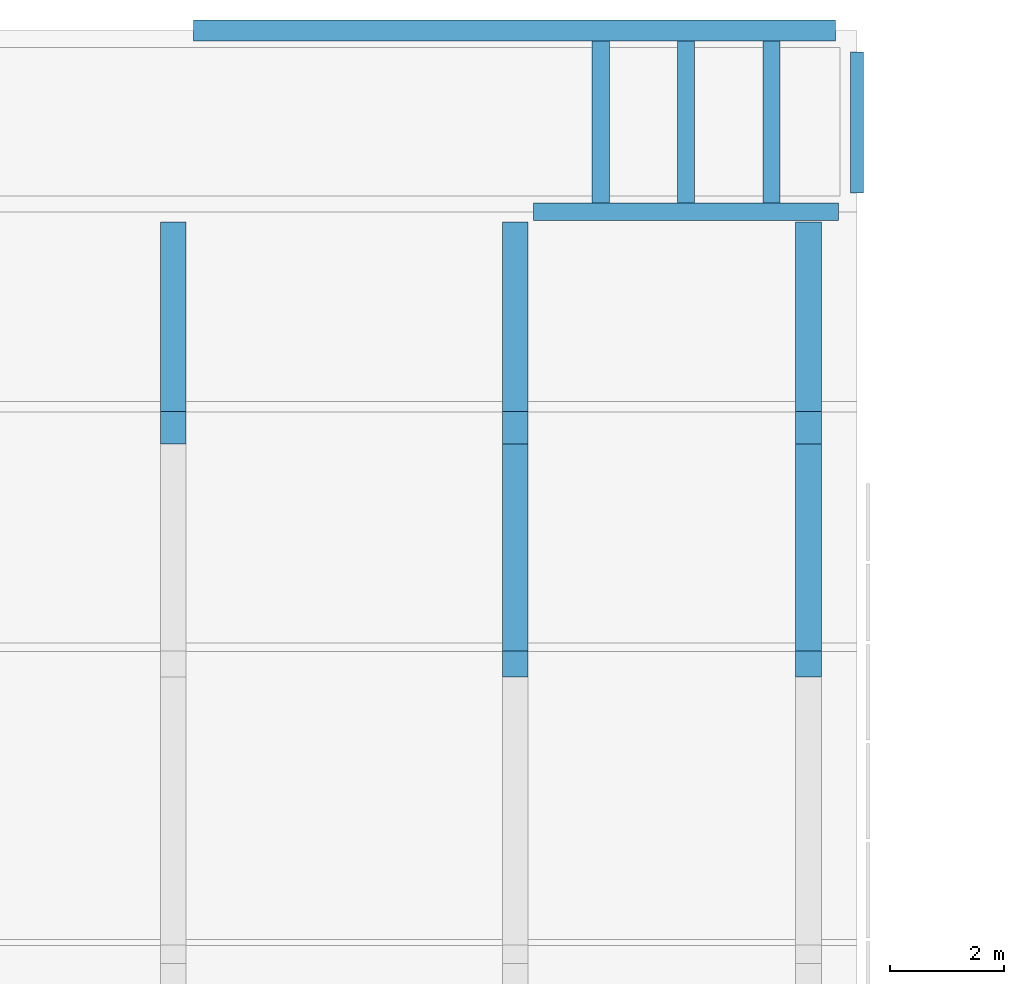
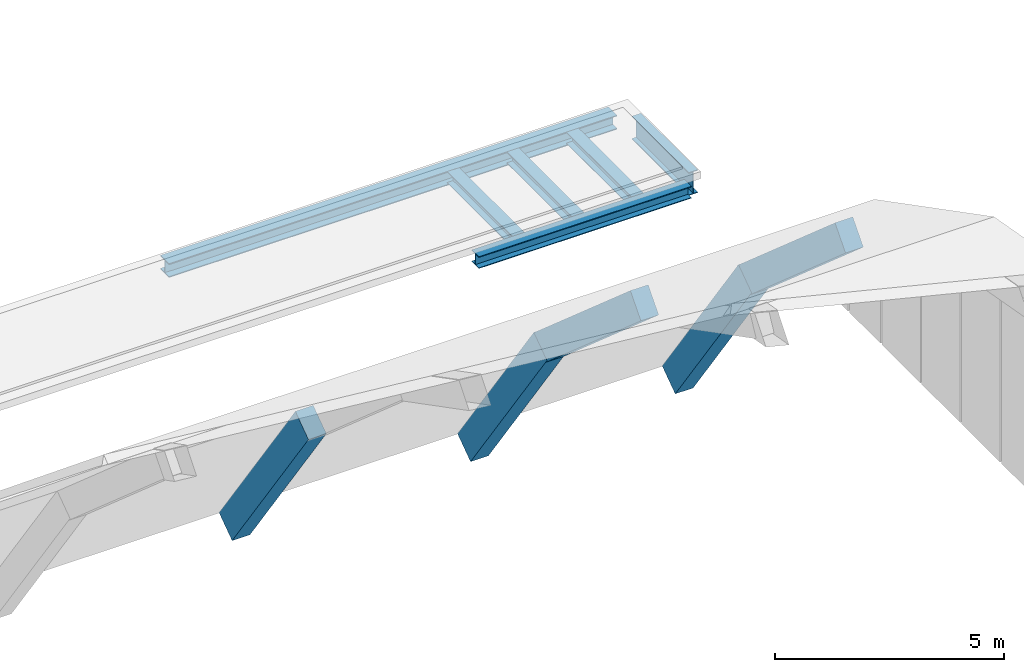
# One storey, part 20 of 42: 11 beams.
"""IFC4 building model written with IfcOpenShell, lengths in metres."""

from ifc_helpers import new_model, si_unit, direction, frame, origin, origin_2d, place, context, subcontext, project, spatial, rectangle, i_section, extrude, material, material_profile, profile_set, type_object, element, save


model = new_model("IFC4")

# Units and contexts
model_context = context("Model", 3, precision=1e-05, world=origin(), true_north=direction((0.0, 1.0)))
body_context = subcontext(model_context, "Body", "Model", "MODEL_VIEW")
ifc_project = project(units=[si_unit("LENGTHUNIT", "METRE"), si_unit("AREAUNIT", "SQUARE_METRE"), si_unit("VOLUMEUNIT", "CUBIC_METRE"), si_unit("PLANEANGLEUNIT", "RADIAN"), si_unit("MASSUNIT", "GRAM", prefix="KILO")], contexts=[model_context])

# Site, building, storey
site_placement = place(None, origin())
site = spatial("IfcSite", under=ifc_project, at=site_placement, CompositionType="ELEMENT")
building_placement = place(site_placement, origin())
building = spatial("IfcBuilding", under=site, at=building_placement, Name="Kelmvaro Bay Concert Hall", CompositionType="ELEMENT")
storey_placement = place(building_placement, frame((0.0, 0.0, 26.699951171875)))
storey = spatial("IfcBuildingStorey", under=building, at=storey_placement, Name="RF", CompositionType="ELEMENT", Elevation=26.699951171875)

# Beams
ifc_material_1 = material(Name="Steel ASTM A992 Grade 50", Category="steel")
ifc_material_profile_1 = material_profile(ifc_material_1, i_section(OverallWidth=0.373046875, OverallDepth=0.373046875, WebThickness=0.016357421875, FlangeThickness=0.026123046875, at=origin_2d()), Name="W14X132")
ifc_profile_set_1 = profile_set([ifc_material_profile_1], Name="Steel ASTM A992 Grade 50")
beam_type_1 = type_object("IfcBeamType", Name="Crown Roof Frame Beam W14x132", PredefinedType="BEAM", material=ifc_profile_set_1)
beam_1_placement = place(storey_placement, frame((48.35009765625, 114.0, -0.31640625), z_axis=(1.0, 0.0, 0.0), x_axis=(0.0, 1.0, 0.0)))
element("IfcBeam", 1, at=beam_1_placement, inside=storey, type_object=beam_type_1, Name="RF Girder BM-RF-EW-1976", PredefinedType="BEAM", context=body_context, shape_type="SweptSolid", body=[
    extrude(i_section(OverallWidth=0.373046875, OverallDepth=0.373046875, WebThickness=0.016357421875, FlangeThickness=0.026123046875, at=origin_2d()), origin(), (0.0, 0.0, 1.0), 11.27490234375),
])
ifc_material_2 = material(Name="Steel ASTM A992 Grade 50", Category="steel")
ifc_material_profile_2 = material_profile(ifc_material_2, i_section(OverallWidth=0.304931640625, OverallDepth=0.306884765625, WebThickness=0.010009765625, FlangeThickness=0.015380859375, at=origin_2d()), Name="W12X65")
ifc_profile_set_2 = profile_set([ifc_material_profile_2], Name="Steel ASTM A992 Grade 50")
beam_type_2 = type_object("IfcBeamType", Name="Flat Roof Deck Joist W12x65", PredefinedType="JOIST", material=ifc_profile_set_2)
for number, where, z_axis, x_axis, name in (
    (2, (55.5, 110.973388671875, -0.283447265625), (0.0, 1.0, 0.0), (-1.0, 0.0, 0.0), "RF Floor Joist JST-RF-1990"),
    (3, (57.0, 110.973388671875, -0.283447265625), (0.0, 1.0, 0.0), (-1.0, 0.0, 0.0), "RF Floor Joist JST-RF-1991"),
    (4, (58.5, 110.973388671875, -0.283447265625), (0.0, 1.0, 0.0), (-1.0, 0.0, 0.0), "RF Floor Joist JST-RF-1992"),
):
    element("IfcBeam", number, at=place(storey_placement, frame(where, z_axis=z_axis, x_axis=x_axis)), inside=storey, type_object=beam_type_2, Name=name, PredefinedType="JOIST", context=body_context, shape_type="SweptSolid", body=[
        extrude(i_section(OverallWidth=0.304931640625, OverallDepth=0.306884765625, WebThickness=0.010009765625, FlangeThickness=0.015380859375, at=origin_2d()), origin(), (0.0, 0.0, 1.0), 2.840087890625),
    ])
ifc_material_3 = material(Name="Concrete C40/50", Category="concrete")
ifc_material_profile_3 = material_profile(ifc_material_3, rectangle(XDim=0.449951171875, YDim=0.699951171875, at=origin_2d()), Name="RC-BM-450X700")
ifc_profile_set_3 = profile_set([ifc_material_profile_3], Name="Concrete C40/50")
beam_type_3 = type_object("IfcBeamType", Name="Perimeter Spandrel Beam RC450x700", PredefinedType="BEAM", material=ifc_profile_set_3)
beam_2_placement = place(storey_placement, frame((48.0, 107.02978515625, -0.117919921875), z_axis=(0.0, 0.577266481329, -0.816555821444), x_axis=(-1.0, 0.0, 0.0)))
element("IfcBeam", 5, at=beam_2_placement, inside=storey, type_object=beam_type_3, Name="Barrel Shell Arch Rib 09-08", PredefinedType="BEAM", context=body_context, shape_type="SweptSolid", body=[
    extrude(rectangle(XDim=0.449951171875, YDim=0.699951171875, at=origin_2d()), origin(), (0.0, 0.0, 1.0), 5.7666015625),
])
beam_3_placement = place(storey_placement, frame((54.0, 102.8798828125, 3.482421875), z_axis=(0.0, 0.753462954927, -0.657490361566), x_axis=(-1.0, 0.0, 0.0)))
element("IfcBeam", 6, at=beam_3_placement, inside=storey, type_object=beam_type_3, Name="Barrel Shell Arch Rib 10-07", PredefinedType="BEAM", context=body_context, shape_type="SweptSolid", body=[
    extrude(rectangle(XDim=0.449951171875, YDim=0.699951171875, at=origin_2d()), origin(), (0.0, 0.0, 1.0), 5.626953125),
])
beam_4_placement = place(storey_placement, frame((54.0, 107.02978515625, -0.117919921875), z_axis=(0.0, 0.577266481329, -0.816555821444), x_axis=(-1.0, 0.0, 0.0)))
element("IfcBeam", 7, at=beam_4_placement, inside=storey, type_object=beam_type_3, Name="Barrel Shell Arch Rib 10-08", PredefinedType="BEAM", context=body_context, shape_type="SweptSolid", body=[
    extrude(rectangle(XDim=0.449951171875, YDim=0.699951171875, at=origin_2d()), origin(), (0.0, 0.0, 1.0), 5.7666015625),
])
beam_5_placement = place(storey_placement, frame((59.14990234375, 102.8798828125, 3.482421875), z_axis=(0.0, 0.753462954927, -0.657490361566), x_axis=(-1.0, 0.0, 0.0)))
element("IfcBeam", 8, at=beam_5_placement, inside=storey, type_object=beam_type_3, Name="Barrel Shell Arch Rib 11-07", PredefinedType="BEAM", context=body_context, shape_type="SweptSolid", body=[
    extrude(rectangle(XDim=0.449951171875, YDim=0.699951171875, at=origin_2d()), origin(), (0.0, 0.0, 1.0), 5.626953125),
])
beam_6_placement = place(storey_placement, frame((59.14990234375, 107.02978515625, -0.117919921875), z_axis=(0.0, 0.577266481329, -0.816555821444), x_axis=(-1.0, 0.0, 0.0)))
element("IfcBeam", 9, at=beam_6_placement, inside=storey, type_object=beam_type_3, Name="Barrel Shell Arch Rib 11-08", PredefinedType="BEAM", context=body_context, shape_type="SweptSolid", body=[
    extrude(rectangle(XDim=0.449951171875, YDim=0.699951171875, at=origin_2d()), origin(), (0.0, 0.0, 1.0), 5.7666015625),
])
ifc_material_4 = material(Name="Steel ASTM A992 Grade 50", Category="steel")
ifc_material_profile_4 = material_profile(ifc_material_4, i_section(OverallWidth=0.306884765625, OverallDepth=0.318115234375, WebThickness=0.01318359375, FlangeThickness=0.0205078125, at=origin_2d()), Name="W12X87")
ifc_profile_set_4 = profile_set([ifc_material_profile_4], Name="Steel ASTM A992 Grade 50")
beam_type_4 = type_object("IfcBeamType", Name="Roof Hatch Trimmer Beam W12x87", PredefinedType="BEAM", material=ifc_profile_set_4)
beam_7_placement = place(storey_placement, frame((54.324951171875, 110.820068359375, -0.2890625), z_axis=(1.0, 0.0, 0.0), x_axis=(0.0, 1.0, 0.0)))
element("IfcBeam", 10, at=beam_7_placement, inside=storey, type_object=beam_type_4, Name="RF Girder BM-RF-EW-1974", PredefinedType="BEAM", context=body_context, shape_type="SweptSolid", body=[
    extrude(i_section(OverallWidth=0.306884765625, OverallDepth=0.318115234375, WebThickness=0.01318359375, FlangeThickness=0.0205078125, at=origin_2d()), origin(), (0.0, 0.0, 1.0), 5.35009765625),
])
ifc_material_5 = material(Name="Steel ASTM A992 Grade 50", Category="steel")
ifc_material_profile_5 = material_profile(ifc_material_5, i_section(OverallWidth=0.22900390625, OverallDepth=0.612060546875, WebThickness=0.011962890625, FlangeThickness=0.01953125, at=origin_2d()), Name="W24X84")
ifc_profile_set_5 = profile_set([ifc_material_profile_5], Name="Steel ASTM A992 Grade 50")
beam_type_5 = type_object("IfcBeamType", Name="Terrace Edge Girder W24x84", PredefinedType="BEAM", material=ifc_profile_set_5)
beam_8_placement = place(storey_placement, frame((60.0, 111.14501953125, -0.43603515625), z_axis=(0.0, 1.0, 0.0), x_axis=(-1.0, 0.0, 0.0)))
element("IfcBeam", 11, at=beam_8_placement, inside=storey, type_object=beam_type_5, Name="RF Girder BM-RF-NS-1980", PredefinedType="BEAM", context=body_context, shape_type="SweptSolid", body=[
    extrude(i_section(OverallWidth=0.22900390625, OverallDepth=0.612060546875, WebThickness=0.011962890625, FlangeThickness=0.01953125, at=origin_2d()), origin(), (0.0, 0.0, 1.0), 2.47998046875),
])

save(model, "model.ifc")
